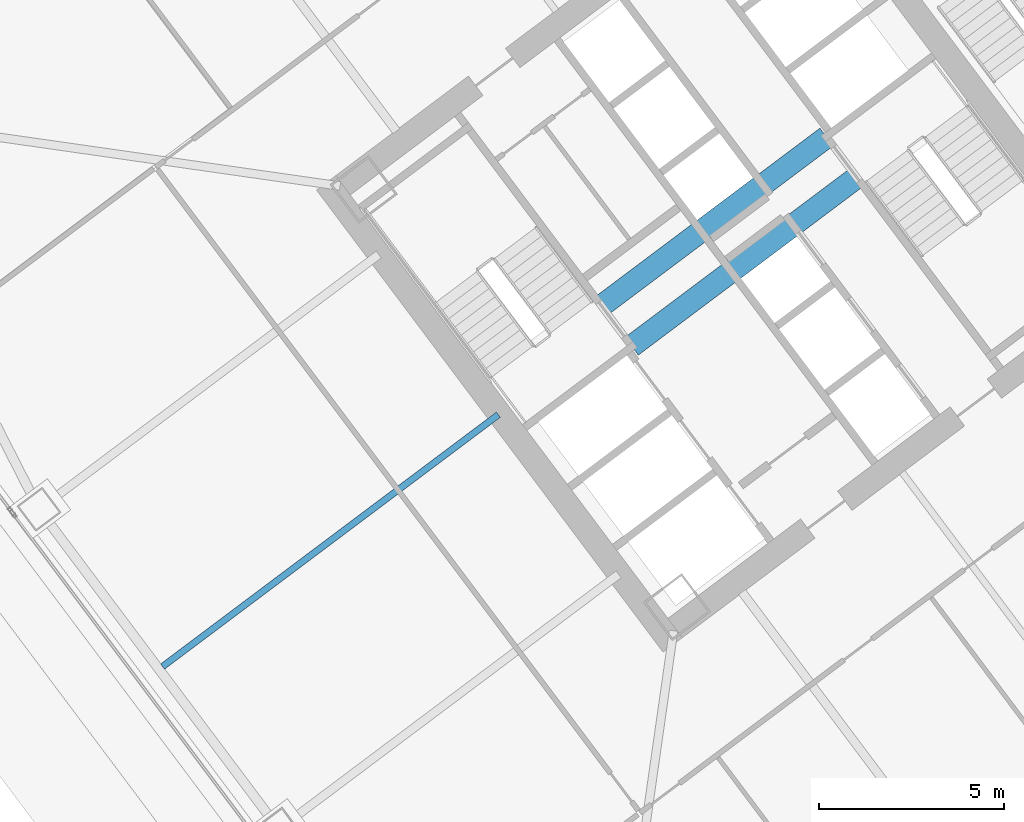
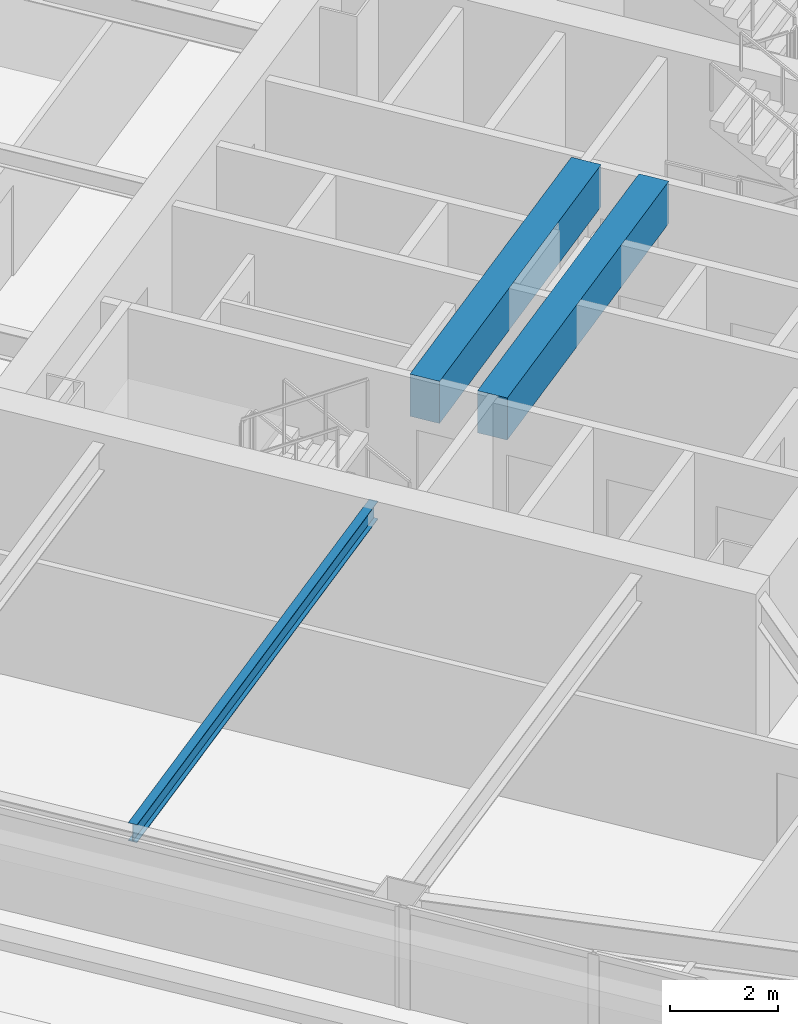
# One storey, part 38 of 67: 3 beams.
"""IFC4 building model written with IfcOpenShell, lengths in metres."""

from ifc_helpers import new_model, si_unit, direction, frame, origin, origin_2d, place, context, subcontext, project, spatial, rectangle, i_section, extrude, material, material_profile, profile_set, type_object, element, save


model = new_model("IFC4")

# Units and contexts
model_context = context("Model", 3, precision=1e-05, world=origin(), true_north=direction((0.0, 1.0)))
body_context = subcontext(model_context, "Body", "Model", "MODEL_VIEW")
ifc_project = project(units=[si_unit("LENGTHUNIT", "METRE"), si_unit("AREAUNIT", "SQUARE_METRE"), si_unit("VOLUMEUNIT", "CUBIC_METRE"), si_unit("PLANEANGLEUNIT", "RADIAN"), si_unit("MASSUNIT", "GRAM", prefix="KILO")], contexts=[model_context])

# Site, building, storey
site_placement = place(None, origin())
site = spatial("IfcSite", under=ifc_project, at=site_placement, CompositionType="ELEMENT")
building_placement = place(site_placement, origin())
building = spatial("IfcBuilding", under=site, at=building_placement, Name="Tashvorn Skyway Center", CompositionType="ELEMENT")
storey_placement = place(building_placement, frame((0.0, 0.0, 67.199951171875)))
storey = spatial("IfcBuildingStorey", under=building, at=storey_placement, Name="L17", CompositionType="ELEMENT", Elevation=67.199951171875)

# Beams
ifc_material_1 = material(Name="Steel ASTM A992 Grade 50", Category="steel")
ifc_material_profile_1 = material_profile(ifc_material_1, i_section(OverallWidth=0.177978515625, OverallDepth=0.406005859375, WebThickness=0.0078125, FlangeThickness=0.0126953125, at=origin_2d()), Name="W16X40")
ifc_profile_set_1 = profile_set([ifc_material_profile_1], Name="Steel ASTM A992 Grade 50")
beam_type_1 = type_object("IfcBeamType", Name="BM-JOIST-W16X40", PredefinedType="JOIST", material=ifc_profile_set_1)
beam_placement = place(storey_placement, frame((107.76806640625, 27.325927734375, 3.14697265625), z_axis=(-0.800002583493, -0.599996555327, 0.0), x_axis=(0.599996555327, -0.800002583493, 0.0)))
element("IfcBeam", 1, at=beam_placement, inside=storey, type_object=beam_type_1, Name="Tower 2 L17 Secondary Composite Joist JW", PredefinedType="JOIST", context=body_context, shape_type="SweptSolid", body=[
    extrude(i_section(OverallWidth=0.177978515625, OverallDepth=0.406005859375, WebThickness=0.0078125, FlangeThickness=0.0126953125, at=origin_2d()), origin(), (0.0, 0.0, 1.0), 11.340087890625),
])
ifc_material_2 = material(Name="Concrete C60/75", Category="concrete")
ifc_material_profile_2 = material_profile(ifc_material_2, rectangle(XDim=0.60009765625, YDim=0.949951171875, at=origin_2d()), Name="RCB600x950")
ifc_profile_set_2 = profile_set([ifc_material_profile_2], Name="Concrete C60/75")
beam_type_2 = type_object("IfcBeamType", Name="BM-LINTEL-RCB600x950", PredefinedType="LINTEL", material=ifc_profile_set_2)
for number, where, z_axis, x_axis, name in (
    (2, (110.552001953125, 30.263916015625, 2.875), (0.8, 0.6, 0.0), (-0.6, 0.8, 0.0), "Tower 2 L17 Core Coupling Beam CN"),
    (3, (111.367919921875, 29.176025390625, 2.875), (0.8, 0.6, 0.0), (-0.6, 0.8, 0.0), "Tower 2 L17 Core Coupling Beam CS"),
):
    element("IfcBeam", number, at=place(storey_placement, frame(where, z_axis=z_axis, x_axis=x_axis)), inside=storey, type_object=beam_type_2, Name=name, PredefinedType="LINTEL", context=body_context, shape_type="SweptSolid", body=[
        extrude(rectangle(XDim=0.60009765625, YDim=0.949951171875, at=origin_2d()), origin(), (0.0, 0.0, 1.0), 7.60009765625),
    ])

save(model, "model.ifc")
